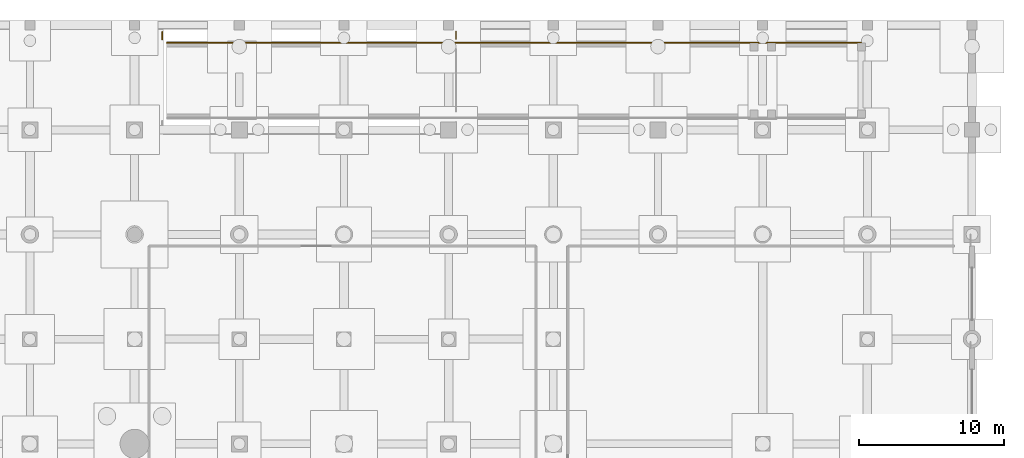
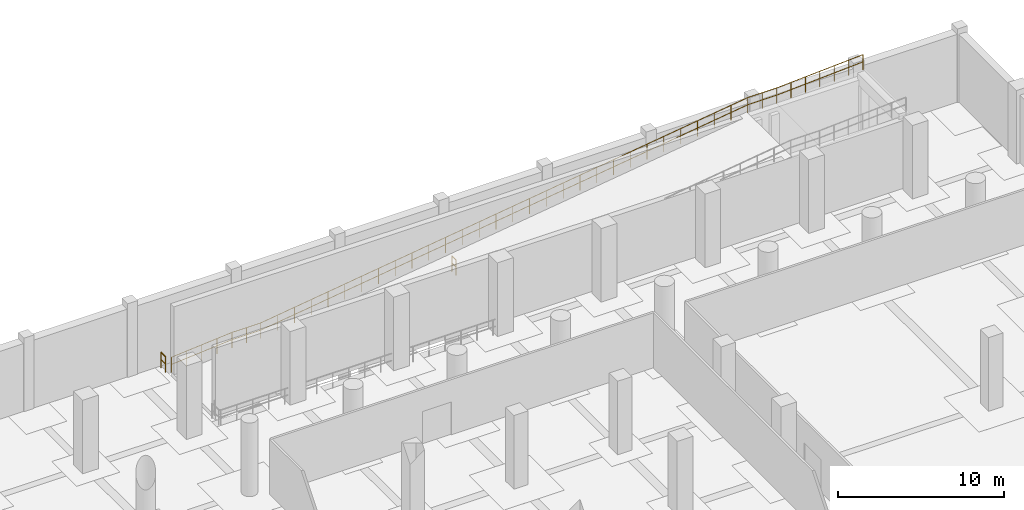
# One storey, part 37 of 37: 3 railings.
"""IFC4 building model written with IfcOpenShell, lengths in metres."""

from ifc_helpers import new_model, si_unit, direction, frame, origin, origin_2d, place, context, subcontext, project, spatial, circle, extrude, material, type_object, element, save


model = new_model("IFC4")

# Units and contexts
model_context = context("Model", 3, precision=1e-05, world=origin(), true_north=direction((0.0, 1.0)))
body_context = subcontext(model_context, "Body", "Model", "MODEL_VIEW")
ifc_project = project(units=[si_unit("LENGTHUNIT", "METRE"), si_unit("AREAUNIT", "SQUARE_METRE"), si_unit("VOLUMEUNIT", "CUBIC_METRE"), si_unit("PLANEANGLEUNIT", "RADIAN"), si_unit("MASSUNIT", "GRAM", prefix="KILO")], contexts=[model_context])

# Site, building, storey
site_placement = place(None, origin())
site = spatial("IfcSite", under=ifc_project, at=site_placement, CompositionType="ELEMENT")
building_placement = place(site_placement, origin())
building = spatial("IfcBuilding", under=site, at=building_placement, Name="Qandorah Velis Arena", CompositionType="ELEMENT")
storey_placement = place(building_placement, frame((0.0, 0.0, -5.39990234375)))
storey = spatial("IfcBuildingStorey", under=building, at=storey_placement, Name="B1", CompositionType="ELEMENT", Elevation=-5.39990234375)

# Railings
ifc_material = material(Name="Stainless steel 316", Category="steel")
railing_type = type_object("IfcRailingType", Name="ARC-RL-GRD1150", PredefinedType="GUARDRAIL", material=ifc_material)
railing_1_placement = place(storey_placement, frame((117.39990234375, 128.3798828125, 0.0)))
element("IfcRailing", 1, at=railing_1_placement, inside=storey, type_object=railing_type, Name="Vehicle ramp VR1 sloped N edge guardrail", PredefinedType="GUARDRAIL", context=body_context, shape_type="SweptSolid", body=[
    extrude(circle(Radius=0.02392578125, at=origin_2d()), frame((0.0, 0.0, 1.1259765625), z_axis=(0.996548953392, 0.0, 0.083007129168), x_axis=(0.0, 1.0, 0.0)), (0.0, 0.0, 1.0), 4.21484375),
    extrude(circle(Radius=0.02392578125, at=origin_2d()), frame((0.0, 0.0, 0.597900390625), z_axis=(0.996548953392, 0.0, 0.083007129168), x_axis=(0.0, 1.0, 0.0)), (0.0, 0.0, 1.0), 4.21484375),
    extrude(circle(Radius=0.02392578125, at=origin_2d()), frame((4.2001953125, 0.0, 1.4755859375), z_axis=(1.0, 0.0, 0.0), x_axis=(0.0, 1.0, 0.0)), (0.0, 0.0, 1.0), 2.0),
    extrude(circle(Radius=0.02392578125, at=origin_2d()), frame((4.2001953125, 0.0, 0.94775390625), z_axis=(1.0, 0.0, 0.0), x_axis=(0.0, 1.0, 0.0)), (0.0, 0.0, 1.0), 2.0),
    extrude(circle(Radius=0.02392578125, at=origin_2d()), frame((6.2001953125, 0.0, 1.4755859375), z_axis=(0.990470163844, 0.0, 0.137727464709), x_axis=(0.0, 1.0, 0.0)), (0.0, 0.0, 1.0), 34.125),
    extrude(circle(Radius=0.02392578125, at=origin_2d()), frame((6.2001953125, 0.0, 0.94775390625), z_axis=(0.990470163844, 0.0, 0.137727464709), x_axis=(0.0, 1.0, 0.0)), (0.0, 0.0, 1.0), 34.125),
    extrude(circle(Radius=0.02392578125, at=origin_2d()), frame((40.0, 0.0, 6.17578125), z_axis=(1.0, 0.0, 0.0), x_axis=(0.0, 1.0, 0.0)), (0.0, 0.0, 1.0), 2.0),
    extrude(circle(Radius=0.02392578125, at=origin_2d()), frame((40.0, 0.0, 5.647705078125), z_axis=(1.0, 0.0, 0.0), x_axis=(0.0, 1.0, 0.0)), (0.0, 0.0, 1.0), 2.0),
    extrude(circle(Radius=0.02392578125, at=origin_2d()), frame((42.0, 0.0, 6.17578125), z_axis=(0.998301996181, 0.0, 0.058250531515), x_axis=(0.0, 1.0, 0.0)), (0.0, 0.0, 1.0), 6.01025390625),
    extrude(circle(Radius=0.02392578125, at=origin_2d()), frame((42.0, 0.0, 5.647705078125), z_axis=(0.998301996181, 0.0, 0.058250531515), x_axis=(0.0, 1.0, 0.0)), (0.0, 0.0, 1.0), 6.01025390625),
    extrude(circle(Radius=0.02099609375, at=origin_2d()), origin(), (0.0, 0.0, 1.0), 1.101806640625),
    extrude(circle(Radius=0.02099609375, at=origin_2d()), frame((1.050048828125, 0.0, 0.08740234375)), (0.0, 0.0, 1.0), 1.101806640625),
    extrude(circle(Radius=0.02099609375, at=origin_2d()), frame((2.10009765625, 0.0, 0.1748046875)), (0.0, 0.0, 1.0), 1.101806640625),
    extrude(circle(Radius=0.02099609375, at=origin_2d()), frame((3.150146484375, 0.0, 0.262451171875)), (0.0, 0.0, 1.0), 1.101806640625),
    extrude(circle(Radius=0.02099609375, at=origin_2d()), frame((4.2001953125, 0.0, 0.349853515625)), (0.0, 0.0, 1.0), 1.101806640625),
    extrude(circle(Radius=0.02099609375, at=origin_2d()), frame((5.2001953125, 0.0, 0.349853515625)), (0.0, 0.0, 1.0), 1.101806640625),
    extrude(circle(Radius=0.02099609375, at=origin_2d()), frame((6.2001953125, 0.0, 0.349853515625)), (0.0, 0.0, 1.0), 1.101806640625),
    extrude(circle(Radius=0.02099609375, at=origin_2d()), frame((7.36572265625, 0.0, 0.511962890625)), (0.0, 0.0, 1.0), 1.101806640625),
    extrude(circle(Radius=0.02099609375, at=origin_2d()), frame((8.53125, 0.0, 0.674072265625)), (0.0, 0.0, 1.0), 1.101806640625),
    extrude(circle(Radius=0.02099609375, at=origin_2d()), frame((9.69677734375, 0.0, 0.8359375)), (0.0, 0.0, 1.0), 1.101806640625),
    extrude(circle(Radius=0.02099609375, at=origin_2d()), frame((10.8623046875, 0.0, 0.998046875)), (0.0, 0.0, 1.0), 1.101806640625),
    extrude(circle(Radius=0.02099609375, at=origin_2d()), frame((12.02783203125, 0.0, 1.16015625)), (0.0, 0.0, 1.0), 1.101806640625),
    extrude(circle(Radius=0.02099609375, at=origin_2d()), frame((13.193359375, 0.0, 1.322265625)), (0.0, 0.0, 1.0), 1.101806640625),
    extrude(circle(Radius=0.02099609375, at=origin_2d()), frame((14.35888671875, 0.0, 1.484375)), (0.0, 0.0, 1.0), 1.101806640625),
    extrude(circle(Radius=0.02099609375, at=origin_2d()), frame((15.524169921875, 0.0, 1.646484375)), (0.0, 0.0, 1.0), 1.101806640625),
    extrude(circle(Radius=0.02099609375, at=origin_2d()), frame((16.689697265625, 0.0, 1.808349609375)), (0.0, 0.0, 1.0), 1.101806640625),
    extrude(circle(Radius=0.02099609375, at=origin_2d()), frame((17.855224609375, 0.0, 1.970458984375)), (0.0, 0.0, 1.0), 1.101806640625),
    extrude(circle(Radius=0.02099609375, at=origin_2d()), frame((19.020751953125, 0.0, 2.132568359375)), (0.0, 0.0, 1.0), 1.101806640625),
    extrude(circle(Radius=0.02099609375, at=origin_2d()), frame((20.186279296875, 0.0, 2.294677734375)), (0.0, 0.0, 1.0), 1.101806640625),
    extrude(circle(Radius=0.02099609375, at=origin_2d()), frame((21.351806640625, 0.0, 2.456787109375)), (0.0, 0.0, 1.0), 1.101806640625),
    extrude(circle(Radius=0.02099609375, at=origin_2d()), frame((22.517333984375, 0.0, 2.618896484375)), (0.0, 0.0, 1.0), 1.101806640625),
    extrude(circle(Radius=0.02099609375, at=origin_2d()), frame((23.682861328125, 0.0, 2.78076171875)), (0.0, 0.0, 1.0), 1.101806640625),
    extrude(circle(Radius=0.02099609375, at=origin_2d()), frame((24.848388671875, 0.0, 2.94287109375)), (0.0, 0.0, 1.0), 1.101806640625),
    extrude(circle(Radius=0.02099609375, at=origin_2d()), frame((26.013916015625, 0.0, 3.10498046875)), (0.0, 0.0, 1.0), 1.101806640625),
    extrude(circle(Radius=0.02099609375, at=origin_2d()), frame((27.179443359375, 0.0, 3.26708984375)), (0.0, 0.0, 1.0), 1.101806640625),
    extrude(circle(Radius=0.02099609375, at=origin_2d()), frame((28.344970703125, 0.0, 3.42919921875)), (0.0, 0.0, 1.0), 1.101806640625),
    extrude(circle(Radius=0.02099609375, at=origin_2d()), frame((29.510498046875, 0.0, 3.59130859375)), (0.0, 0.0, 1.0), 1.101806640625),
    extrude(circle(Radius=0.02099609375, at=origin_2d()), frame((30.676025390625, 0.0, 3.753173828125)), (0.0, 0.0, 1.0), 1.101806640625),
    extrude(circle(Radius=0.02099609375, at=origin_2d()), frame((31.84130859375, 0.0, 3.915283203125)), (0.0, 0.0, 1.0), 1.101806640625),
    extrude(circle(Radius=0.02099609375, at=origin_2d()), frame((33.0068359375, 0.0, 4.077392578125)), (0.0, 0.0, 1.0), 1.101806640625),
    extrude(circle(Radius=0.02099609375, at=origin_2d()), frame((34.17236328125, 0.0, 4.239501953125)), (0.0, 0.0, 1.0), 1.101806640625),
    extrude(circle(Radius=0.02099609375, at=origin_2d()), frame((35.337890625, 0.0, 4.401611328125)), (0.0, 0.0, 1.0), 1.101806640625),
    extrude(circle(Radius=0.02099609375, at=origin_2d()), frame((36.50341796875, 0.0, 4.563720703125)), (0.0, 0.0, 1.0), 1.101806640625),
    extrude(circle(Radius=0.02099609375, at=origin_2d()), frame((37.6689453125, 0.0, 4.7255859375)), (0.0, 0.0, 1.0), 1.101806640625),
    extrude(circle(Radius=0.02099609375, at=origin_2d()), frame((38.83447265625, 0.0, 4.8876953125)), (0.0, 0.0, 1.0), 1.101806640625),
    extrude(circle(Radius=0.02099609375, at=origin_2d()), frame((40.0, 0.0, 5.0498046875)), (0.0, 0.0, 1.0), 1.101806640625),
    extrude(circle(Radius=0.02099609375, at=origin_2d()), frame((41.0, 0.0, 5.0498046875)), (0.0, 0.0, 1.0), 1.101806640625),
    extrude(circle(Radius=0.02099609375, at=origin_2d()), frame((42.0, 0.0, 5.0498046875)), (0.0, 0.0, 1.0), 1.101806640625),
    extrude(circle(Radius=0.02099609375, at=origin_2d()), frame((43.0, 0.0, 5.108154296875)), (0.0, 0.0, 1.0), 1.101806640625),
    extrude(circle(Radius=0.02099609375, at=origin_2d()), frame((44.0, 0.0, 5.16650390625)), (0.0, 0.0, 1.0), 1.101806640625),
    extrude(circle(Radius=0.02099609375, at=origin_2d()), frame((45.0, 0.0, 5.224853515625)), (0.0, 0.0, 1.0), 1.101806640625),
    extrude(circle(Radius=0.02099609375, at=origin_2d()), frame((46.0, 0.0, 5.283203125)), (0.0, 0.0, 1.0), 1.101806640625),
    extrude(circle(Radius=0.02099609375, at=origin_2d()), frame((47.0, 0.0, 5.341552734375)), (0.0, 0.0, 1.0), 1.101806640625),
    extrude(circle(Radius=0.02099609375, at=origin_2d()), frame((48.0, 0.0, 5.39990234375)), (0.0, 0.0, 1.0), 1.101806640625),
])
railing_2_placement = place(storey_placement, frame((117.10009765625, 129.139892578125, 0.0)))
element("IfcRailing", 2, at=railing_2_placement, inside=storey, type_object=railing_type, Name="Slab edge safety guardrail B1-008", PredefinedType="GUARDRAIL", context=body_context, shape_type="SweptSolid", body=[
    extrude(circle(Radius=0.02392578125, at=origin_2d()), frame((0.0, 0.0, 1.1259765625), z_axis=(0.0, -1.0, 0.0), x_axis=(1.0, 0.0, 0.0)), (0.0, 0.0, 1.0), 0.539794921875),
    extrude(circle(Radius=0.02392578125, at=origin_2d()), frame((0.0, 0.0, 0.597900390625), z_axis=(0.0, -1.0, 0.0), x_axis=(1.0, 0.0, 0.0)), (0.0, 0.0, 1.0), 0.539794921875),
    extrude(circle(Radius=0.02099609375, at=origin_2d()), origin(), (0.0, 0.0, 1.0), 1.101806640625),
    extrude(circle(Radius=0.02099609375, at=origin_2d()), frame((0.0, -0.539794921875, 0.0)), (0.0, 0.0, 1.0), 1.101806640625),
])
railing_3_placement = place(storey_placement, frame((137.300048828125, 128.659912109375, 0.0)))
element("IfcRailing", 3, at=railing_3_placement, inside=storey, type_object=railing_type, Name="Slab edge safety guardrail B1-011", PredefinedType="GUARDRAIL", context=body_context, shape_type="SweptSolid", body=[
    extrude(circle(Radius=0.02392578125, at=origin_2d()), frame((0.0, 0.0, 1.1259765625), z_axis=(0.0, 1.0, 0.0), x_axis=(-1.0, 0.0, 0.0)), (0.0, 0.0, 1.0), 0.47998046875),
    extrude(circle(Radius=0.02392578125, at=origin_2d()), frame((0.0, 0.0, 0.597900390625), z_axis=(0.0, 1.0, 0.0), x_axis=(-1.0, 0.0, 0.0)), (0.0, 0.0, 1.0), 0.47998046875),
    extrude(circle(Radius=0.02099609375, at=origin_2d()), origin(), (0.0, 0.0, 1.0), 1.101806640625),
    extrude(circle(Radius=0.02099609375, at=origin_2d()), frame((0.0, 0.47998046875, 0.0)), (0.0, 0.0, 1.0), 1.101806640625),
])

save(model, "model.ifc")
